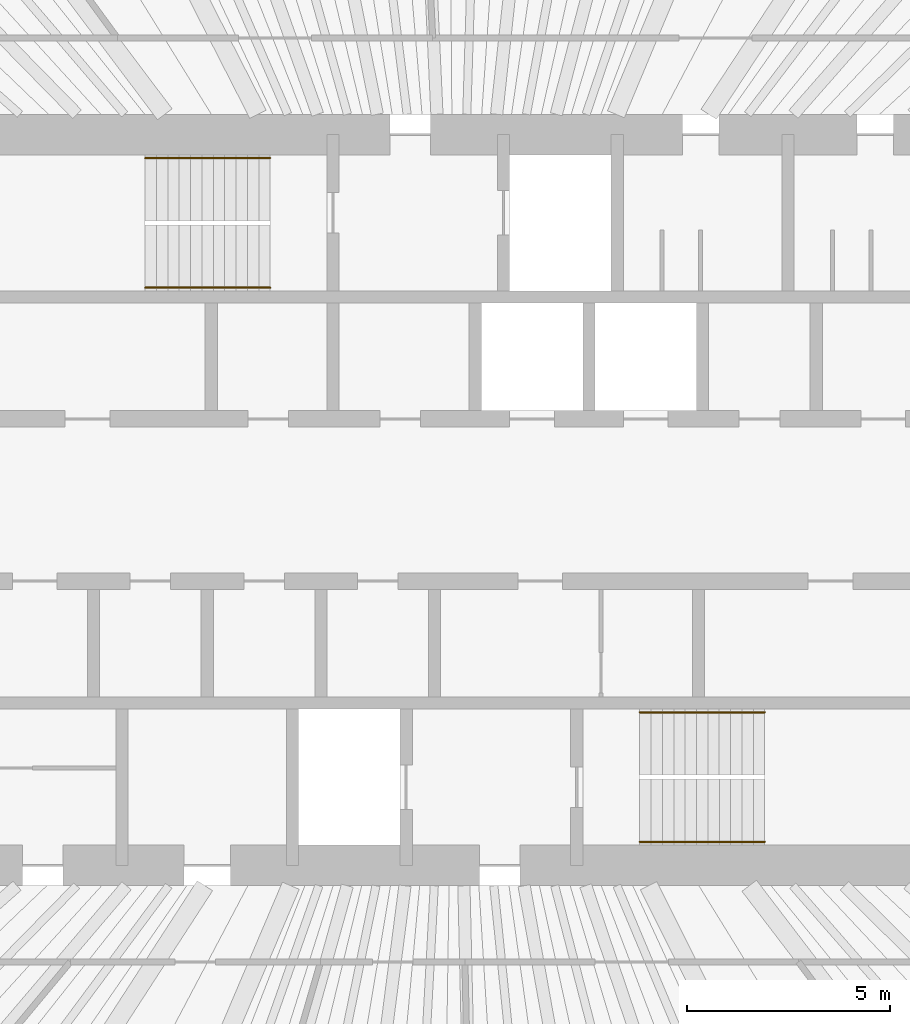
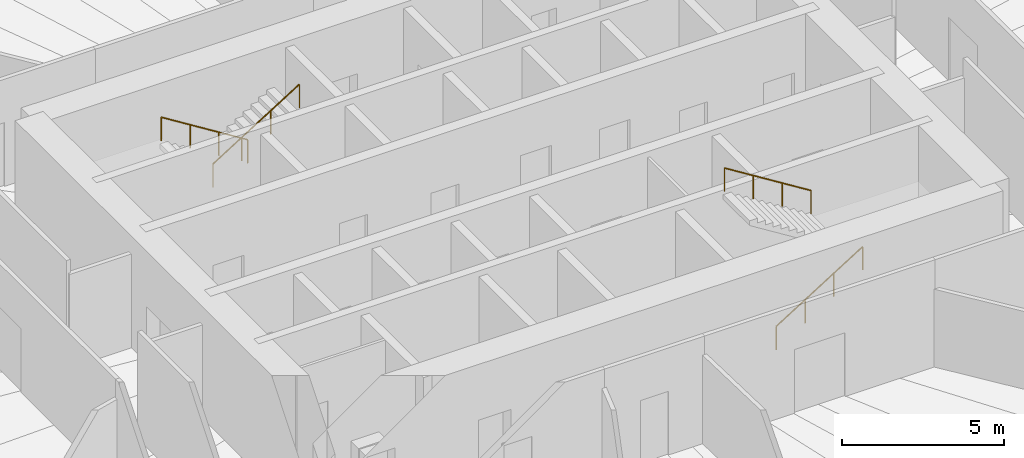
# One storey, part 14 of 14: 4 railings.
"""IFC4 building model written with IfcOpenShell, lengths in metres."""

from ifc_helpers import new_model, si_unit, direction, frame, origin, origin_2d, place, context, subcontext, project, spatial, circle, extrude, material, type_object, element, save


model = new_model("IFC4")

# Units and contexts
model_context = context("Model", 3, precision=1e-05, world=origin(), true_north=direction((0.0, 1.0)))
body_context = subcontext(model_context, "Body", "Model", "MODEL_VIEW")
ifc_project = project(units=[si_unit("LENGTHUNIT", "METRE"), si_unit("AREAUNIT", "SQUARE_METRE"), si_unit("VOLUMEUNIT", "CUBIC_METRE"), si_unit("PLANEANGLEUNIT", "RADIAN"), si_unit("MASSUNIT", "GRAM", prefix="KILO")], contexts=[model_context])

# Site, building, storey
site_placement = place(None, origin())
site = spatial("IfcSite", under=ifc_project, at=site_placement, CompositionType="ELEMENT")
building_placement = place(site_placement, origin())
building = spatial("IfcBuilding", under=site, at=building_placement, Name="Qingtian Harvest Tower", CompositionType="ELEMENT")
storey_placement = place(building_placement, frame((0.0, 0.0, 291.39990234375)))
storey = spatial("IfcBuildingStorey", under=building, at=storey_placement, Name="L64", CompositionType="ELEMENT", Elevation=291.39990234375)

# Railings
ifc_material = material(Name="Stainless steel handrail", Category="steel")
railing_type = type_object("IfcRailingType", Name="Handrail HR1", PredefinedType="HANDRAIL", material=ifc_material)
railing_1_placement = place(storey_placement, frame((-4.550048828125, 8.419921875, 0.175048828125)))
element("IfcRailing", 1, at=railing_1_placement, inside=storey, type_object=railing_type, Name="Handrail HR1 S1 flight 1", PredefinedType="HANDRAIL", context=body_context, shape_type="SweptSolid", body=[
    extrude(circle(Radius=0.02392578125, at=origin_2d()), frame((0.0, 0.0, 0.8759765625), z_axis=(-0.847979421464, 0.0, 0.530029150871), x_axis=(0.0, -1.0, 0.0)), (0.0, 0.0, 1.0), 3.632080078125),
    extrude(circle(Radius=0.02099609375, at=origin_2d()), origin(), (0.0, 0.0, 1.0), 0.851806640625),
    extrude(circle(Radius=0.02099609375, at=origin_2d()), frame((-1.026611328125, 0.0, 0.6416015625)), (0.0, 0.0, 1.0), 0.851806640625),
    extrude(circle(Radius=0.02099609375, at=origin_2d()), frame((-2.05322265625, 0.0, 1.283447265625)), (0.0, 0.0, 1.0), 0.851806640625),
    extrude(circle(Radius=0.02099609375, at=origin_2d()), frame((-3.079833984375, 0.0, 1.925048828125)), (0.0, 0.0, 1.0), 0.851806640625),
])
for number, where, name in (
    (2, (-7.6298828125, 5.22998046875, 2.275146484375), "Handrail HR1 S1 flight 2"),
    (3, (4.550048828125, -8.419921875, 0.175048828125), "Handrail HR1 S2 flight 1"),
):
    element("IfcRailing", number, at=place(storey_placement, frame(where)), inside=storey, type_object=railing_type, Name=name, PredefinedType="HANDRAIL", context=body_context, shape_type="SweptSolid", body=[
        extrude(circle(Radius=0.02392578125, at=origin_2d()), frame((0.0, 0.0, 0.8759765625), z_axis=(0.847979421464, 0.0, 0.530029150871), x_axis=(0.0, 1.0, 0.0)), (0.0, 0.0, 1.0), 3.632080078125),
        extrude(circle(Radius=0.02099609375, at=origin_2d()), origin(), (0.0, 0.0, 1.0), 0.851806640625),
        extrude(circle(Radius=0.02099609375, at=origin_2d()), frame((1.026611328125, 0.0, 0.6416015625)), (0.0, 0.0, 1.0), 0.851806640625),
        extrude(circle(Radius=0.02099609375, at=origin_2d()), frame((2.05322265625, 0.0, 1.283447265625)), (0.0, 0.0, 1.0), 0.851806640625),
        extrude(circle(Radius=0.02099609375, at=origin_2d()), frame((3.079833984375, 0.0, 1.925048828125)), (0.0, 0.0, 1.0), 0.851806640625),
    ])
railing_2_placement = place(storey_placement, frame((7.6298828125, -5.22998046875, 2.275146484375)))
element("IfcRailing", 4, at=railing_2_placement, inside=storey, type_object=railing_type, Name="Handrail HR1 S2 flight 2", PredefinedType="HANDRAIL", context=body_context, shape_type="SweptSolid", body=[
    extrude(circle(Radius=0.02392578125, at=origin_2d()), frame((0.0, 0.0, 0.8759765625), z_axis=(-0.847979421464, 0.0, 0.530029150871), x_axis=(0.0, -1.0, 0.0)), (0.0, 0.0, 1.0), 3.632080078125),
    extrude(circle(Radius=0.02099609375, at=origin_2d()), origin(), (0.0, 0.0, 1.0), 0.851806640625),
    extrude(circle(Radius=0.02099609375, at=origin_2d()), frame((-1.026611328125, 0.0, 0.6416015625)), (0.0, 0.0, 1.0), 0.851806640625),
    extrude(circle(Radius=0.02099609375, at=origin_2d()), frame((-2.05322265625, 0.0, 1.283447265625)), (0.0, 0.0, 1.0), 0.851806640625),
    extrude(circle(Radius=0.02099609375, at=origin_2d()), frame((-3.079833984375, 0.0, 1.925048828125)), (0.0, 0.0, 1.0), 0.851806640625),
])

save(model, "model.ifc")
